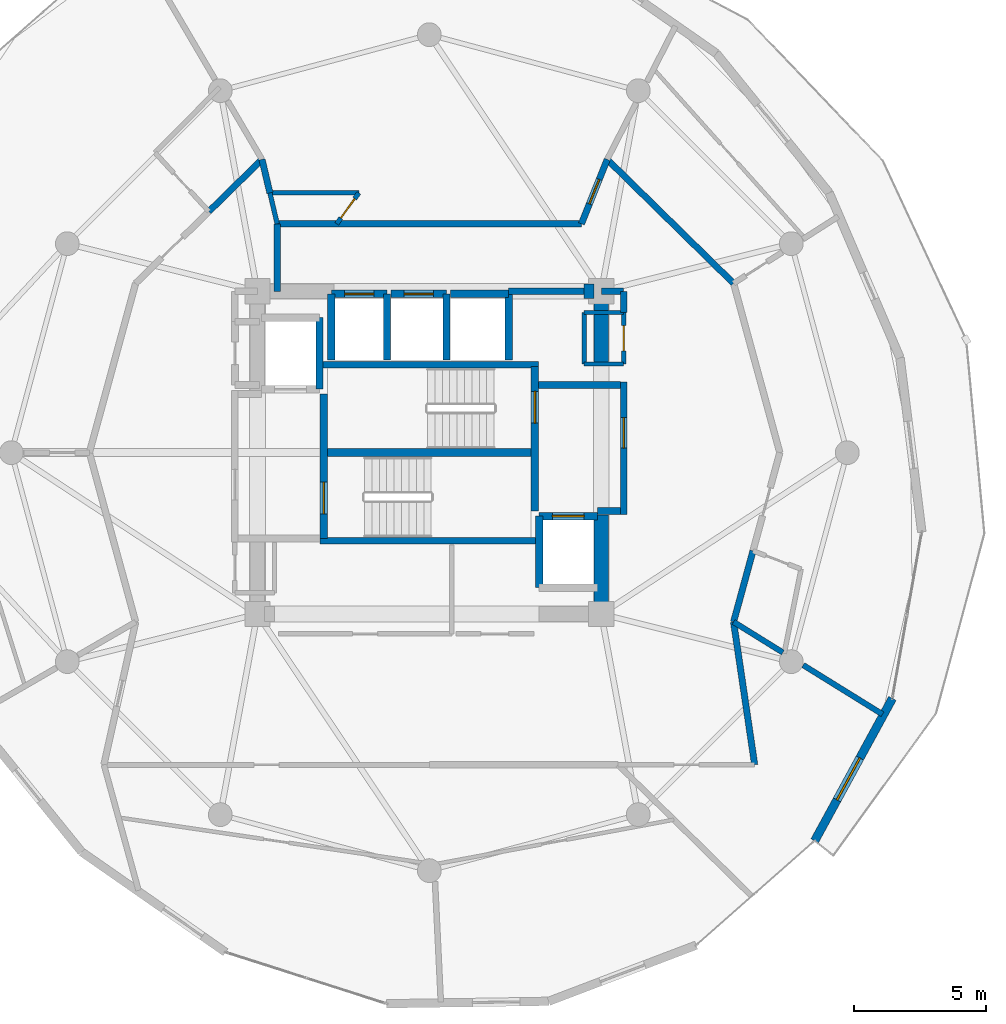
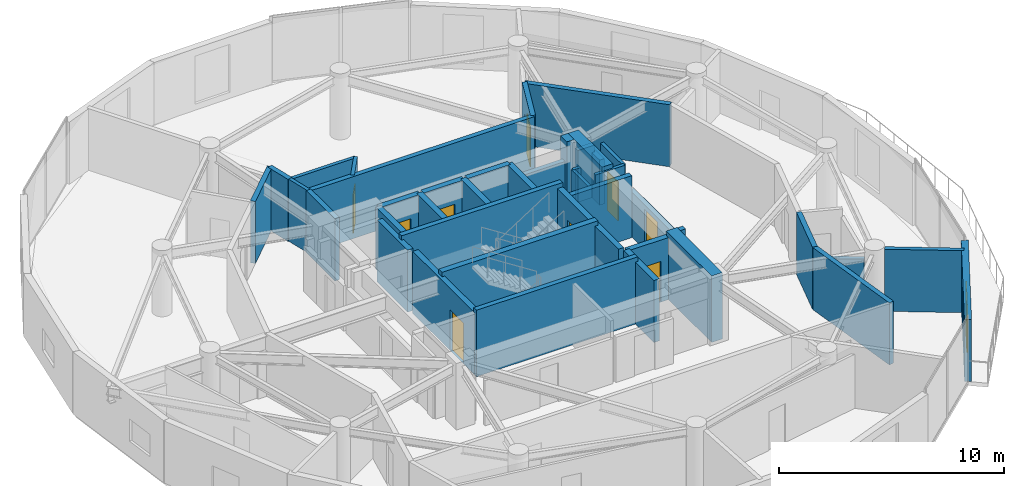
# One storey, part 14 of 18: 42 walls, 9 doors, 1 window, 10 openings.
"""IFC4 building model written with IfcOpenShell, lengths in metres."""

from ifc_helpers import new_model, si_unit, direction, frame, frame_2d, origin, place, context, subcontext, project, spatial, rectangle, extrude, material, layer, layer_set, type_object, element, fill, save


model = new_model("IFC4")

# Units and contexts
model_context = context("Model", 3, precision=1e-05, world=origin(), true_north=direction((0.0, 1.0)))
body_context = subcontext(model_context, "Body", "Model", "MODEL_VIEW")
ifc_project = project(units=[si_unit("LENGTHUNIT", "METRE"), si_unit("AREAUNIT", "SQUARE_METRE"), si_unit("VOLUMEUNIT", "CUBIC_METRE"), si_unit("PLANEANGLEUNIT", "RADIAN"), si_unit("MASSUNIT", "GRAM", prefix="KILO")], contexts=[model_context])

# Site, building, storey
site_placement = place(None, origin())
site = spatial("IfcSite", under=ifc_project, at=site_placement, CompositionType="ELEMENT")
building_placement = place(site_placement, origin())
building = spatial("IfcBuilding", under=site, at=building_placement, Name="Solvirekh Grand Hotel", CompositionType="ELEMENT")
storey_placement = place(building_placement, frame((0.0, 0.0, 187.60009765625)))
storey = spatial("IfcBuildingStorey", under=building, at=storey_placement, Name="L48", CompositionType="ELEMENT", Elevation=187.60009765625)

# Walls
ifc_material_1 = material(Name="Concrete C50/60", Category="concrete")
ifc_layer_1 = layer(ifc_material_1, 0.35009765625)
ifc_layer_set_1 = layer_set([ifc_layer_1], Name="Concrete C50/60")
wall_type_1 = type_object("IfcWallType", Name="CoreDivWall_RC350", PredefinedType="SOLIDWALL", material=ifc_layer_set_1)
for number, where, z_axis, x_axis, name in (
    (1, (-4.1298828125, -3.324951171875, 0.0), (0.0, 0.0, 1.0), (1.0, 0.0, 0.0), "L48 core stair box wall ST-S"),
    (2, (-4.1298828125, 3.324951171875, 0.0), (0.0, 0.0, 1.0), (1.0, 0.0, 0.0), "L48 core stair box wall ST-N"),
):
    element("IfcWall", number, at=place(storey_placement, frame(where, z_axis=z_axis, x_axis=x_axis)), inside=storey, type_object=wall_type_1, Name=name, PredefinedType="SOLIDWALL", context=body_context, shape_type="SweptSolid", body=[
        extrude(rectangle(XDim=8.259765625, YDim=0.25, at=frame_2d((4.1298828125, 0.0))), origin(), (0.0, 0.0, 1.0), 3.599853515625),
    ])

# Wall, opening, door
ifc_material_2 = material(Name="Concrete C40/50", Category="concrete")
ifc_layer_2 = layer(ifc_material_2, 0.280029296875)
ifc_layer_set_2 = layer_set([ifc_layer_2], Name="Concrete C40/50")
wall_type_2 = type_object("IfcWallType", Name="CoreShaftWall_RC280", PredefinedType="SOLIDWALL", material=ifc_layer_set_2)
wall_1_placement = place(storey_placement, frame((-1.60009765625, 6.0, 0.0), z_axis=(0.0, 0.0, 1.0), x_axis=(-1.0, 0.0, 0.0)))
wall_1 = element("IfcWall", 3, at=wall_1_placement, inside=storey, type_object=wall_type_2, Name="L48 HP-1 hoistway N wall", PredefinedType="SOLIDWALL", context=body_context, shape_type="SweptSolid", body=[
    extrude(rectangle(XDim=2.099853515625, YDim=0.280029296875, at=frame_2d((1.0498046875, 0.0))), origin(), (0.0, 0.0, 1.0), 3.35986328125),
])
opening_1_placement = place(wall_1_placement, frame((0.5, 0.0, 0.0)))
opening_1 = element("IfcOpeningElement", 4, at=opening_1_placement, cuts=wall_1, Name="Opening LD01", PredefinedType="OPENING", context=body_context, shape_type="SweptSolid", body=[
    extrude(rectangle(XDim=1.10009765625, YDim=2.199951171875, at=frame_2d((0.550048828125, 1.10009765625))), frame((0.0, 0.14990234375, 0.0), z_axis=(0.0, -1.0, 0.0), x_axis=(1.0, 0.0, 0.0)), (0.0, 0.0, 1.0), 0.300048828125),
])
ifc_material_3 = material(Name="Fire-Rated Steel Door Assembly", Category="steel")
door_type_1 = type_object("IfcDoorType", Name="Door_LiftLanding_1100X2200", OperationType="SLIDING_TO_LEFT", PredefinedType="DOOR", material=ifc_material_3)
door_1_placement = place(opening_1_placement, origin())
door_1 = element("IfcDoor", 5, at=door_1_placement, inside=storey, type_object=door_type_1, Name="L48 HP-1 sliding lift landing door", OperationType="SLIDING_TO_LEFT", OverallHeight=2.199951171875, OverallWidth=1.10009765625, PredefinedType="DOOR", context=body_context, shape_type="SweptSolid", body=[
    extrude(rectangle(XDim=1.10009765625, YDim=2.199951171875, at=frame_2d((0.550048828125, 1.10009765625))), frame((0.0, 0.02490234375, 0.0), z_axis=(0.0, -1.0, 0.0), x_axis=(1.0, 0.0, 0.0)), (0.0, 0.0, 1.0), 0.050048828125),
])
fill(opening_1, door_1)

# Walls
for number, where, z_axis, x_axis, name in (
    (6, (-3.699951171875, 6.0, 0.0), (0.0, 0.0, 1.0), (0.0, -1.0, 0.0), "L48 HP-1 hoistway W wall"),
    (7, (-1.60009765625, 3.5, 0.0), (0.0, 0.0, 1.0), (0.0, 1.0, 0.0), "L48 HP-1 hoistway E wall"),
):
    element("IfcWall", number, at=place(storey_placement, frame(where, z_axis=z_axis, x_axis=x_axis)), inside=storey, type_object=wall_type_2, Name=name, PredefinedType="SOLIDWALL", context=body_context, shape_type="SweptSolid", body=[
        extrude(rectangle(XDim=2.5, YDim=0.280029296875, at=frame_2d((1.25, 0.0))), origin(), (0.0, 0.0, 1.0), 3.35986328125),
    ])

# Wall, opening, door
wall_2_placement = place(storey_placement, frame((0.64990234375, 6.0, 0.0), z_axis=(0.0, 0.0, 1.0), x_axis=(-1.0, 0.0, 0.0)))
wall_2 = element("IfcWall", 8, at=wall_2_placement, inside=storey, type_object=wall_type_2, Name="L48 HP-2 hoistway N wall", PredefinedType="SOLIDWALL", context=body_context, shape_type="SweptSolid", body=[
    extrude(rectangle(XDim=2.099853515625, YDim=0.280029296875, at=frame_2d((1.0498046875, 0.0))), origin(), (0.0, 0.0, 1.0), 3.35986328125),
])
opening_2_placement = place(wall_2_placement, frame((0.5, 0.0, 0.0)))
opening_2 = element("IfcOpeningElement", 9, at=opening_2_placement, cuts=wall_2, Name="Opening LD01", PredefinedType="OPENING", context=body_context, shape_type="SweptSolid", body=[
    extrude(rectangle(XDim=1.10009765625, YDim=2.199951171875, at=frame_2d((0.550048828125, 1.10009765625))), frame((0.0, 0.14990234375, 0.0), z_axis=(0.0, -1.0, 0.0), x_axis=(1.0, 0.0, 0.0)), (0.0, 0.0, 1.0), 0.300048828125),
])
door_2_placement = place(opening_2_placement, origin())
door_2 = element("IfcDoor", 10, at=door_2_placement, inside=storey, type_object=door_type_1, Name="L48 HP-2 sliding lift landing door", OperationType="SLIDING_TO_LEFT", OverallHeight=2.199951171875, OverallWidth=1.10009765625, PredefinedType="DOOR", context=body_context, shape_type="SweptSolid", body=[
    extrude(rectangle(XDim=1.10009765625, YDim=2.199951171875, at=frame_2d((0.550048828125, 1.10009765625))), frame((0.0, 0.02490234375, 0.0), z_axis=(0.0, -1.0, 0.0), x_axis=(1.0, 0.0, 0.0)), (0.0, 0.0, 1.0), 0.050048828125),
])
fill(opening_2, door_2)

# Walls
wall_3_placement = place(storey_placement, frame((0.64990234375, 3.5, 0.0), z_axis=(0.0, 0.0, 1.0), x_axis=(0.0, 1.0, 0.0)))
element("IfcWall", 11, at=wall_3_placement, inside=storey, type_object=wall_type_2, Name="L48 HP-2 hoistway E wall", PredefinedType="SOLIDWALL", context=body_context, shape_type="SweptSolid", body=[
    extrude(rectangle(XDim=2.5, YDim=0.280029296875, at=frame_2d((1.25, 0.0))), origin(), (0.0, 0.0, 1.0), 3.35986328125),
])
wall_4_placement = place(storey_placement, frame((3.0, 6.0, 0.0), z_axis=(0.0, 0.0, 1.0), x_axis=(-1.0, 0.0, 0.0)))
element("IfcWall", 12, at=wall_4_placement, inside=storey, type_object=wall_type_2, Name="L48 EX-1 hoistway N wall", PredefinedType="SOLIDWALL", context=body_context, shape_type="SweptSolid", body=[
    extrude(rectangle(XDim=2.199951171875, YDim=0.280029296875, at=frame_2d((1.10009765625, 0.0))), origin(), (0.0, 0.0, 1.0), 3.35986328125),
])
wall_5_placement = place(storey_placement, frame((3.0, 3.5, 0.0), z_axis=(0.0, 0.0, 1.0), x_axis=(0.0, 1.0, 0.0)))
element("IfcWall", 13, at=wall_5_placement, inside=storey, type_object=wall_type_2, Name="L48 EX-1 hoistway E wall", PredefinedType="SOLIDWALL", context=body_context, shape_type="SweptSolid", body=[
    extrude(rectangle(XDim=2.5, YDim=0.280029296875, at=frame_2d((1.25, 0.0))), origin(), (0.0, 0.0, 1.0), 3.35986328125),
])
wall_6_placement = place(storey_placement, frame((-4.14990234375, 2.39990234375, 0.0), z_axis=(0.0, 0.0, 1.0), x_axis=(0.0, 1.0, 0.0)))
element("IfcWall", 14, at=wall_6_placement, inside=storey, type_object=wall_type_2, Name="L48 FL-1 hoistway E wall", PredefinedType="SOLIDWALL", context=body_context, shape_type="SweptSolid", body=[
    extrude(rectangle(XDim=2.7001953125, YDim=0.280029296875, at=frame_2d((1.35009765625, 0.0))), origin(), (0.0, 0.0, 1.0), 3.35986328125),
])

# Wall, opening, door
wall_7_placement = place(storey_placement, frame((6.35009765625, -2.39990234375, 0.0), z_axis=(0.0, 0.0, 1.0), x_axis=(-1.0, 0.0, 0.0)))
wall_7 = element("IfcWall", 15, at=wall_7_placement, inside=storey, type_object=wall_type_2, Name="L48 FL-2 hoistway N wall", PredefinedType="SOLIDWALL", context=body_context, shape_type="SweptSolid", body=[
    extrude(rectangle(XDim=2.2001953125, YDim=0.280029296875, at=frame_2d((1.10009765625, 0.0))), origin(), (0.0, 0.0, 1.0), 3.35986328125),
])
opening_3_placement = place(wall_7_placement, frame((0.5, 0.0, 0.0)))
opening_3 = element("IfcOpeningElement", 16, at=opening_3_placement, cuts=wall_7, Name="Opening LD02", PredefinedType="OPENING", context=body_context, shape_type="SweptSolid", body=[
    extrude(rectangle(XDim=1.199951171875, YDim=2.199951171875, at=frame_2d((0.60009765625, 1.10009765625))), frame((0.0, 0.14990234375, 0.0), z_axis=(0.0, -1.0, 0.0), x_axis=(1.0, 0.0, 0.0)), (0.0, 0.0, 1.0), 0.300048828125),
])
door_type_2 = type_object("IfcDoorType", Name="Door_LiftFF_1200X2200", OperationType="SLIDING_TO_LEFT", PredefinedType="DOOR", material=ifc_material_3)
door_3_placement = place(opening_3_placement, origin())
door_3 = element("IfcDoor", 17, at=door_3_placement, inside=storey, type_object=door_type_2, Name="L48 FL-2 sliding lift landing door", OperationType="SLIDING_TO_LEFT", OverallHeight=2.199951171875, OverallWidth=1.199951171875, PredefinedType="DOOR", context=body_context, shape_type="SweptSolid", body=[
    extrude(rectangle(XDim=1.199951171875, YDim=2.199951171875, at=frame_2d((0.60009765625, 1.10009765625))), frame((0.0, 0.02490234375, 0.0), z_axis=(0.0, -1.0, 0.0), x_axis=(1.0, 0.0, 0.0)), (0.0, 0.0, 1.0), 0.050048828125),
])
fill(opening_3, door_3)

# Wall
wall_8_placement = place(storey_placement, frame((4.14990234375, -2.39990234375, 0.0), z_axis=(0.0, 0.0, 1.0), x_axis=(0.0, -1.0, 0.0)))
element("IfcWall", 18, at=wall_8_placement, inside=storey, type_object=wall_type_2, Name="L48 FL-2 hoistway W wall", PredefinedType="SOLIDWALL", context=body_context, shape_type="SweptSolid", body=[
    extrude(rectangle(XDim=2.7001953125, YDim=0.280029296875, at=frame_2d((1.35009765625, 0.0))), origin(), (0.0, 0.0, 1.0), 3.35986328125),
])

# Wall, opening, door
wall_9_placement = place(storey_placement, frame((-3.989990234375, -3.25, 0.0), z_axis=(0.0, 0.0, 1.0), x_axis=(0.0, 1.0, 0.0)))
wall_9 = element("IfcWall", 19, at=wall_9_placement, inside=storey, type_object=wall_type_2, Name="L48 west stair landing enclosure wall", PredefinedType="SOLIDWALL", context=body_context, shape_type="SweptSolid", body=[
    extrude(rectangle(XDim=5.4599609375, YDim=0.280029296875, at=frame_2d((2.72998046875, 0.0))), origin(), (0.0, 0.0, 1.0), 3.35986328125),
])
opening_4_placement = place(wall_9_placement, frame((0.93701171875, 0.0, 0.0)))
opening_4 = element("IfcOpeningElement", 20, at=opening_4_placement, cuts=wall_9, Name="Opening D05", PredefinedType="OPENING", context=body_context, shape_type="SweptSolid", body=[
    extrude(rectangle(XDim=1.199951171875, YDim=2.199951171875, at=frame_2d((0.60009765625, 1.10009765625))), frame((0.0, 0.14990234375, 0.0), z_axis=(0.0, -1.0, 0.0), x_axis=(1.0, 0.0, 0.0)), (0.0, 0.0, 1.0), 0.300048828125),
])
door_type_3 = type_object("IfcDoorType", Name="Door_StairCore_1200X2200", OperationType="NOTDEFINED", PredefinedType="DOOR", material=ifc_material_3)
door_4_placement = place(opening_4_placement, origin())
door_4 = element("IfcDoor", 21, at=door_4_placement, inside=storey, type_object=door_type_3, Name="L48 exit stair ST-1 fire door", OperationType="SINGLE_SWING_RIGHT", OverallHeight=2.199951171875, OverallWidth=1.199951171875, PredefinedType="DOOR", context=body_context, shape_type="SweptSolid", body=[
    extrude(rectangle(XDim=1.199951171875, YDim=2.199951171875, at=frame_2d((0.60009765625, 1.10009765625))), frame((0.0, 0.02490234375, 0.0), z_axis=(0.0, -1.0, 0.0), x_axis=(1.0, 0.0, 0.0)), (0.0, 0.0, 1.0), 0.050048828125),
])
fill(opening_4, door_4)

wall_10_placement = place(storey_placement, frame((3.989990234375, -2.2099609375, 0.0), z_axis=(0.0, 0.0, 1.0), x_axis=(0.0, 1.0, 0.0)))
wall_10 = element("IfcWall", 22, at=wall_10_placement, inside=storey, type_object=wall_type_2, Name="L48 east stair landing enclosure wall", PredefinedType="SOLIDWALL", context=body_context, shape_type="SweptSolid", body=[
    extrude(rectangle(XDim=5.4599609375, YDim=0.280029296875, at=frame_2d((2.72998046875, 0.0))), origin(), (0.0, 0.0, 1.0), 3.35986328125),
])
opening_5_placement = place(wall_10_placement, frame((3.322998046875, 0.0, 0.0)))
opening_5 = element("IfcOpeningElement", 23, at=opening_5_placement, cuts=wall_10, Name="Opening D05", PredefinedType="OPENING", context=body_context, shape_type="SweptSolid", body=[
    extrude(rectangle(XDim=1.199951171875, YDim=2.199951171875, at=frame_2d((0.60009765625, 1.10009765625))), frame((0.0, 0.14990234375, 0.0), z_axis=(0.0, -1.0, 0.0), x_axis=(1.0, 0.0, 0.0)), (0.0, 0.0, 1.0), 0.300048828125),
])
door_5_placement = place(opening_5_placement, origin())
door_5 = element("IfcDoor", 24, at=door_5_placement, inside=storey, type_object=door_type_3, Name="L48 exit stair ST-2 fire door", OperationType="SINGLE_SWING_LEFT", OverallHeight=2.199951171875, OverallWidth=1.199951171875, PredefinedType="DOOR", context=body_context, shape_type="SweptSolid", body=[
    extrude(rectangle(XDim=1.199951171875, YDim=2.199951171875, at=frame_2d((0.60009765625, 1.10009765625))), frame((0.0, 0.02490234375, 0.0), z_axis=(0.0, -1.0, 0.0), x_axis=(1.0, 0.0, 0.0)), (0.0, 0.0, 1.0), 0.050048828125),
])
fill(opening_5, door_5)

# Walls
ifc_layer_3 = layer(ifc_material_1, 0.550048828125)
ifc_layer_set_3 = layer_set([ifc_layer_3], Name="Concrete C50/60")
wall_type_3 = type_object("IfcWallType", Name="CoreWall_RC550", PredefinedType="SHEAR", material=ifc_layer_set_3)
wall_11_placement = place(storey_placement, frame((-3.989990234375, 0.0, 0.0), z_axis=(0.0, 0.0, 1.0), x_axis=(1.0, 0.0, 0.0)))
element("IfcWall", 25, at=wall_11_placement, inside=storey, type_object=wall_type_3, Name="L48 central stair-spine shear wall", PredefinedType="SHEAR", context=body_context, shape_type="SweptSolid", body=[
    extrude(rectangle(XDim=7.97998046875, YDim=0.300048828125, at=frame_2d((3.989990234375, 0.0))), origin(), (0.0, 0.0, 1.0), 3.599853515625),
])
wall_12_placement = place(storey_placement, frame((5.85009765625, 6.10009765625, 0.0), z_axis=(0.0, 0.0, 1.0), x_axis=(1.0, 0.0, 0.0)))
element("IfcWall", 26, at=wall_12_placement, inside=storey, type_object=wall_type_3, Name="L48 core corner shear wall NE-N", PredefinedType="SHEAR", context=body_context, shape_type="SweptSolid", body=[
    extrude(rectangle(XDim=0.375, YDim=0.550048828125, at=frame_2d((0.1875, 0.0))), origin(), (0.0, 0.0, 1.0), 3.599853515625),
])
wall_13_placement = place(storey_placement, frame((6.5, -6.375, 0.0), z_axis=(0.0, 0.0, 1.0), x_axis=(0.0, 1.0, 0.0)))
element("IfcWall", 27, at=wall_13_placement, inside=storey, type_object=wall_type_3, Name="L48 core corner shear wall ES-E", PredefinedType="SHEAR", context=body_context, shape_type="SweptSolid", body=[
    extrude(rectangle(XDim=4.02490234375, YDim=0.550048828125, at=frame_2d((2.012451171875, 0.0))), origin(), (0.0, 0.0, 1.0), 3.599853515625),
])
wall_14_placement = place(storey_placement, frame((6.5, 3.35009765625, 0.0), z_axis=(0.0, 0.0, 1.0), x_axis=(0.0, 1.0, 0.0)))
element("IfcWall", 28, at=wall_14_placement, inside=storey, type_object=wall_type_3, Name="L48 core corner shear wall EN-E", PredefinedType="SHEAR", context=body_context, shape_type="SweptSolid", body=[
    extrude(rectangle(XDim=3.02490234375, YDim=0.550048828125, at=frame_2d((1.512451171875, 0.0))), origin(), (0.0, 0.0, 1.0), 3.599853515625),
])

# Wall, opening, window
ifc_material_4 = material(Name="Precast concrete C45/55", Category="concrete")
ifc_layer_4 = layer(ifc_material_4, 0.320068359375)
ifc_layer_set_4 = layer_set([ifc_layer_4], Name="Precast concrete C45/55")
wall_type_4 = type_object("IfcWallType", Name="ExtLobbyWall_RC320", PredefinedType="SOLIDWALL", material=ifc_layer_set_4)
wall_15_placement = place(storey_placement, frame((17.5048828125, -9.2919921875, 0.0), z_axis=(0.0, 0.0, 1.0), x_axis=(-0.479142226632, -0.877737276557, 0.0)))
wall_15 = element("IfcWall", 29, at=wall_15_placement, inside=storey, type_object=wall_type_4, Name="L48 exterior structural wall chord 2", PredefinedType="SOLIDWALL", context=body_context, shape_type="SweptSolid", body=[
    extrude(rectangle(XDim=6.1318359375, YDim=0.320068359375, at=frame_2d((3.06591796875, 0.0))), origin(), (0.0, 0.0, 1.0), 3.35986328125),
])
opening_6_placement = place(wall_15_placement, frame((2.568115234375, 0.0, 0.35009765625)))
opening_6 = element("IfcOpeningElement", 30, at=opening_6_placement, cuts=wall_15, Name="Opening W02", PredefinedType="OPENING", context=body_context, shape_type="SweptSolid", body=[
    extrude(rectangle(XDim=1.800048828125, YDim=2.60009765625, at=frame_2d((0.89990234375, 1.300048828125))), frame((0.0, 0.169921875, 0.0), z_axis=(0.0, -1.0, 0.0), x_axis=(1.0, 0.0, 0.0)), (0.0, 0.0, 1.0), 0.340087890625),
])
ifc_material_5 = material(Name="Low-E Tinted Bronze Laminated Glass", Category="aluminium")
window_type = type_object("IfcWindowType", Name="Win_LobbyExt_1800X2600", PartitioningType="SINGLE_PANEL", PredefinedType="WINDOW", material=ifc_material_5)
window_placement = place(opening_6_placement, origin())
window = element("IfcWindow", 31, at=window_placement, inside=storey, type_object=window_type, Name="L48 panoramic bronze-framed window 2", OverallHeight=2.60009765625, OverallWidth=1.800048828125, PartitioningType="SINGLE_PANEL", PredefinedType="WINDOW", context=body_context, shape_type="SweptSolid", body=[
    extrude(rectangle(XDim=1.800048828125, YDim=2.60009765625, at=frame_2d((0.89990234375, 1.300048828125))), frame((0.0, 0.030029296875, 0.0), z_axis=(0.0, -1.0, 0.0), x_axis=(1.0, 0.0, 0.0)), (0.0, 0.0, 1.0), 0.06005859375),
])
fill(opening_6, window)

# Wall
ifc_material_6 = material(Name="Acoustic Gypsum Partition Assembly")
ifc_layer_5 = layer(ifc_material_6, 0.1650390625)
ifc_layer_set_5 = layer_set([ifc_layer_5], Name="Acoustic Gypsum Partition Assembly")
wall_type_5 = type_object("IfcWallType", Name="Part_BOH_165", PredefinedType="PARTITIONING", material=ifc_layer_set_5)
wall_16_placement = place(storey_placement, frame((5.85009765625, 3.35009765625, 0.0), z_axis=(0.0, 0.0, 1.0), x_axis=(1.0, 0.0, 0.0)))
element("IfcWall", 32, at=wall_16_placement, inside=storey, type_object=wall_type_5, Name="L48 L48 Core Housekeeping Room wall 1", PredefinedType="PARTITIONING", context=body_context, shape_type="SweptSolid", body=[
    extrude(rectangle(XDim=1.5, YDim=0.1650390625, at=frame_2d((0.75, 0.0))), origin(), (0.0, 0.0, 1.0), 3.35986328125),
])

# Wall, opening, door
wall_17_placement = place(storey_placement, frame((7.35009765625, 3.35009765625, 0.0), z_axis=(0.0, 0.0, 1.0), x_axis=(0.0, 1.0, 0.0)))
wall_17 = element("IfcWall", 33, at=wall_17_placement, inside=storey, type_object=wall_type_5, Name="L48 L48 Core Housekeeping Room wall 2", PredefinedType="PARTITIONING", context=body_context, shape_type="SweptSolid", body=[
    extrude(rectangle(XDim=1.949951171875, YDim=0.1650390625, at=frame_2d((0.97509765625, 0.0))), origin(), (0.0, 0.0, 1.0), 3.35986328125),
])
opening_7_placement = place(wall_17_placement, frame((0.5, 0.0, 0.0)))
opening_7 = element("IfcOpeningElement", 34, at=opening_7_placement, cuts=wall_17, Name="Opening D10", PredefinedType="OPENING", context=body_context, shape_type="SweptSolid", body=[
    extrude(rectangle(XDim=0.949951171875, YDim=2.10009765625, at=frame_2d((0.47509765625, 1.050048828125))), frame((0.0, 0.092529296875, 0.0), z_axis=(0.0, -1.0, 0.0), x_axis=(1.0, 0.0, 0.0)), (0.0, 0.0, 1.0), 0.18505859375),
])
ifc_material_7 = material(Name="Anodized Bronze Aluminium 6063-T6", Category="aluminium")
door_type_4 = type_object("IfcDoorType", Name="Door_RoomInt_950X2100", OperationType="NOTDEFINED", PredefinedType="DOOR", material=ifc_material_7)
door_6_placement = place(opening_7_placement, origin())
door_6 = element("IfcDoor", 35, at=door_6_placement, inside=storey, type_object=door_type_4, Name="L48 L48 Core Housekeeping Room door", OperationType="SINGLE_SWING_RIGHT", OverallHeight=2.10009765625, OverallWidth=0.949951171875, PredefinedType="DOOR", context=body_context, shape_type="SweptSolid", body=[
    extrude(rectangle(XDim=0.949951171875, YDim=2.10009765625, at=frame_2d((0.47509765625, 1.050048828125))), frame((0.0, 0.02490234375, 0.0), z_axis=(0.0, -1.0, 0.0), x_axis=(1.0, 0.0, 0.0)), (0.0, 0.0, 1.0), 0.050048828125),
])
fill(opening_7, door_6)

# Walls
wall_18_placement = place(storey_placement, frame((7.35009765625, 5.300048828125, 0.0), z_axis=(0.0, 0.0, 1.0), x_axis=(-1.0, 0.0, 0.0)))
element("IfcWall", 36, at=wall_18_placement, inside=storey, type_object=wall_type_5, Name="L48 L48 Core Housekeeping Room wall 3", PredefinedType="PARTITIONING", context=body_context, shape_type="SweptSolid", body=[
    extrude(rectangle(XDim=1.5, YDim=0.1650390625, at=frame_2d((0.75, 0.0))), origin(), (0.0, 0.0, 1.0), 2.44482421875),
])
wall_19_placement = place(storey_placement, frame((5.85009765625, 5.300048828125, 0.0), z_axis=(0.0, 0.0, 1.0), x_axis=(0.0, -1.0, 0.0)))
element("IfcWall", 37, at=wall_19_placement, inside=storey, type_object=wall_type_5, Name="L48 L48 Core Housekeeping Room wall 4", PredefinedType="PARTITIONING", context=body_context, shape_type="SweptSolid", body=[
    extrude(rectangle(XDim=1.949951171875, YDim=0.1650390625, at=frame_2d((0.97509765625, 0.0))), origin(), (0.0, 0.0, 1.0), 2.44482421875),
])

# Wall, opening, door
ifc_layer_6 = layer(ifc_material_6, 0.239990234375)
ifc_layer_set_6 = layer_set([ifc_layer_6], Name="Acoustic Gypsum Partition Assembly")
wall_type_6 = type_object("IfcWallType", Name="Part_Corridor_240", PredefinedType="PARTITIONING", material=ifc_layer_set_6)
wall_20_placement = place(storey_placement, frame((7.35009765625, -2.340087890625, 0.0), z_axis=(0.0, 0.0, 1.0), x_axis=(0.0, 1.0, 0.0)))
wall_20 = element("IfcWall", 38, at=wall_20_placement, inside=storey, type_object=wall_type_6, Name="L48 east firefighting lobby smoke screen wall", PredefinedType="PARTITIONING", context=body_context, shape_type="SweptSolid", body=[
    extrude(rectangle(XDim=5.02001953125, YDim=0.239990234375, at=frame_2d((2.510009765625, 0.0))), origin(), (0.0, 0.0, 1.0), 2.44482421875),
])
opening_8_placement = place(wall_20_placement, frame((2.514892578125, 0.0, 0.0)))
opening_8 = element("IfcOpeningElement", 39, at=opening_8_placement, cuts=wall_20, Name="Opening D06", PredefinedType="OPENING", context=body_context, shape_type="SweptSolid", body=[
    extrude(rectangle(XDim=1.14990234375, YDim=2.199951171875, at=frame_2d((0.574951171875, 1.10009765625))), frame((0.0, 0.1298828125, 0.0), z_axis=(0.0, -1.0, 0.0), x_axis=(1.0, 0.0, 0.0)), (0.0, 0.0, 1.0), 0.260009765625),
])
door_type_5 = type_object("IfcDoorType", Name="Door_FFLobby_1150X2200", OperationType="NOTDEFINED", PredefinedType="DOOR", material=ifc_material_3)
door_7_placement = place(opening_8_placement, origin())
door_7 = element("IfcDoor", 40, at=door_7_placement, inside=storey, type_object=door_type_5, Name="L48 east firefighting lobby smoke door", OperationType="SINGLE_SWING_LEFT", OverallHeight=2.199951171875, OverallWidth=1.14990234375, PredefinedType="DOOR", context=body_context, shape_type="SweptSolid", body=[
    extrude(rectangle(XDim=1.14990234375, YDim=2.199951171875, at=frame_2d((0.574951171875, 1.10009765625))), frame((0.0, 0.02490234375, 0.0), z_axis=(0.0, -1.0, 0.0), x_axis=(1.0, 0.0, 0.0)), (0.0, 0.0, 1.0), 0.050048828125),
])
fill(opening_8, door_7)

# Walls
wall_21_placement = place(storey_placement, frame((-5.75, 8.64990234375, 0.0), z_axis=(0.0, 0.0, 1.0), x_axis=(1.0, 0.0, 0.0)))
element("IfcWall", 41, at=wall_21_placement, inside=storey, type_object=wall_type_6, Name="L48 north lift lobby enclosure wall", PredefinedType="PARTITIONING", context=body_context, shape_type="SweptSolid", body=[
    extrude(rectangle(XDim=11.5, YDim=0.239990234375, at=frame_2d((5.75, 0.0))), origin(), (0.0, 0.0, 1.0), 3.35986328125),
])
wall_22_placement = place(storey_placement, frame((3.0, 6.10009765625, 0.0), z_axis=(0.0, 0.0, 1.0), x_axis=(1.0, 0.0, 0.0)))
element("IfcWall", 42, at=wall_22_placement, inside=storey, type_object=wall_type_6, Name="L48 north core shaft infill wall", PredefinedType="PARTITIONING", context=body_context, shape_type="SweptSolid", body=[
    extrude(rectangle(XDim=2.85009765625, YDim=0.239990234375, at=frame_2d((1.425048828125, 0.0))), origin(), (0.0, 0.0, 1.0), 2.44482421875),
])
wall_23_placement = place(storey_placement, frame((7.35009765625, 5.300048828125, 0.0), z_axis=(0.0, 0.0, 1.0), x_axis=(0.0, 1.0, 0.0)))
element("IfcWall", 43, at=wall_23_placement, inside=storey, type_object=wall_type_6, Name="L48 NE core cheek closure wall", PredefinedType="PARTITIONING", context=body_context, shape_type="SweptSolid", body=[
    extrude(rectangle(XDim=0.800048828125, YDim=0.239990234375, at=frame_2d((0.39990234375, 0.0))), origin(), (0.0, 0.0, 1.0), 2.44482421875),
])
wall_24_placement = place(storey_placement, frame((6.5, 6.10009765625, 0.0), z_axis=(0.0, 0.0, 1.0), x_axis=(1.0, 0.0, 0.0)))
element("IfcWall", 44, at=wall_24_placement, inside=storey, type_object=wall_type_6, Name="L48 NE core corner tie wall", PredefinedType="PARTITIONING", context=body_context, shape_type="SweptSolid", body=[
    extrude(rectangle(XDim=0.85009765625, YDim=0.239990234375, at=frame_2d((0.425048828125, 0.0))), origin(), (0.0, 0.0, 1.0), 2.80078125),
])
wall_25_placement = place(storey_placement, frame((-5.75, 6.10009765625, 0.0), z_axis=(0.0, 0.0, 1.0), x_axis=(0.0, 1.0, 0.0)))
element("IfcWall", 45, at=wall_25_placement, inside=storey, type_object=wall_type_6, Name="L48 north lift lobby west wall", PredefinedType="PARTITIONING", context=body_context, shape_type="SweptSolid", body=[
    extrude(rectangle(XDim=2.5498046875, YDim=0.239990234375, at=frame_2d((1.27490234375, 0.0))), origin(), (0.0, 0.0, 1.0), 3.35986328125),
])
wall_26_placement = place(storey_placement, frame((-6.02587890625, 9.819091796875, 0.0), z_axis=(0.0, 0.0, 1.0), x_axis=(-0.229928489857, 0.973207526457, 0.0)))
element("IfcWall", 46, at=wall_26_placement, inside=storey, type_object=wall_type_6, Name="L48 Panorama Suite 5001 corridor wall 1", PredefinedType="PARTITIONING", context=body_context, shape_type="SweptSolid", body=[
    extrude(rectangle(XDim=1.30078125, YDim=0.239990234375, at=frame_2d((0.650390625, 0.0))), origin(), (0.0, 0.0, 1.0), 3.35986328125),
])

# Wall, opening, door
wall_27_placement = place(storey_placement, frame((5.75, 8.64990234375, 0.0), z_axis=(0.0, 0.0, 1.0), x_axis=(0.371743694646, 0.928335405708, 0.0)))
wall_27 = element("IfcWall", 47, at=wall_27_placement, inside=storey, type_object=wall_type_6, Name="L48 Panorama Suite 5001 entrance wall", PredefinedType="PARTITIONING", context=body_context, shape_type="SweptSolid", body=[
    extrude(rectangle(XDim=2.623046875, YDim=0.239990234375, at=frame_2d((1.3115234375, 0.0))), origin(), (0.0, 0.0, 1.0), 3.35986328125),
])
opening_9_placement = place(wall_27_placement, frame((0.81103515625, 0.0, 0.0)))
opening_9 = element("IfcOpeningElement", 48, at=opening_9_placement, cuts=wall_27, Name="Opening D07", PredefinedType="OPENING", context=body_context, shape_type="SweptSolid", body=[
    extrude(rectangle(XDim=1.0, YDim=2.199951171875, at=frame_2d((0.5, 1.10009765625))), frame((0.0, 0.1298828125, 0.0), z_axis=(0.0, -1.0, 0.0), x_axis=(1.0, 0.0, 0.0)), (0.0, 0.0, 1.0), 0.260009765625),
])
door_type_6 = type_object("IfcDoorType", Name="Door_GuestEntry_1000X2200", OperationType="NOTDEFINED", PredefinedType="DOOR", material=ifc_material_3)
door_8_placement = place(opening_9_placement, origin())
door_8 = element("IfcDoor", 49, at=door_8_placement, inside=storey, type_object=door_type_6, Name="L48 Panorama Suite 5001 entrance door", OperationType="SINGLE_SWING_RIGHT", OverallHeight=2.199951171875, OverallWidth=1.0, PredefinedType="DOOR", context=body_context, shape_type="SweptSolid", body=[
    extrude(rectangle(XDim=1.0, YDim=2.199951171875, at=frame_2d((0.5, 1.10009765625))), frame((0.0, 0.02490234375, 0.0), z_axis=(0.0, -1.0, 0.0), x_axis=(1.0, 0.0, 0.0)), (0.0, 0.0, 1.0), 0.050048828125),
])
fill(opening_9, door_8)

# Walls
wall_28_placement = place(storey_placement, frame((-6.324951171875, 11.0849609375, 0.0), z_axis=(0.0, 0.0, 1.0), x_axis=(-0.713850549357, -0.700298074524, 0.0)))
element("IfcWall", 50, at=wall_28_placement, inside=storey, type_object=wall_type_6, Name="L48 En-suite Bathroom 5002 corridor backing wall", PredefinedType="PARTITIONING", context=body_context, shape_type="SweptSolid", body=[
    extrude(rectangle(XDim=2.810302734375, YDim=0.239990234375, at=frame_2d((1.4052734375, 0.0))), origin(), (0.0, 0.0, 1.0), 3.35986328125),
])
wall_29_placement = place(storey_placement, frame((11.501953125, -6.39990234375, 0.0), z_axis=(0.0, 0.0, 1.0), x_axis=(0.263465836707, 0.964668727019, 0.0)))
element("IfcWall", 51, at=wall_29_placement, inside=storey, type_object=wall_type_6, Name="L48 En-suite Bathroom 5003 corridor backing wall", PredefinedType="PARTITIONING", context=body_context, shape_type="SweptSolid", body=[
    extrude(rectangle(XDim=2.786376953125, YDim=0.239990234375, at=frame_2d((1.39306640625, 0.0))), origin(), (0.0, 0.0, 1.0), 3.35986328125),
])
wall_30_placement = place(storey_placement, frame((11.501953125, 6.39990234375, 0.0), z_axis=(0.0, 0.0, 1.0), x_axis=(-0.713933337596, 0.700213674152, 0.0)))
element("IfcWall", 52, at=wall_30_placement, inside=storey, type_object=wall_type_6, Name="L48 Diplomatic Suite 5003 Suite Foyer corridor enclosure wall", PredefinedType="PARTITIONING", context=body_context, shape_type="SweptSolid", body=[
    extrude(rectangle(XDim=6.69091796875, YDim=0.239990234375, at=frame_2d((3.345458984375, 0.0))), origin(), (0.0, 0.0, 1.0), 3.35986328125),
])
wall_31_placement = place(storey_placement, frame((12.300048828125, -11.800048828125, 0.0), z_axis=(0.0, 0.0, 1.0), x_axis=(-0.146203405363, 0.98925454978, 0.0)))
element("IfcWall", 53, at=wall_31_placement, inside=storey, type_object=wall_type_6, Name="L48 L48 Butler Valet & Linen Steward Room corridor wall 1", PredefinedType="PARTITIONING", context=body_context, shape_type="SweptSolid", body=[
    extrude(rectangle(XDim=5.458740234375, YDim=0.239990234375, at=frame_2d((2.7294921875, 0.0))), origin(), (0.0, 0.0, 1.0), 3.35986328125),
])
ifc_layer_7 = layer(ifc_material_6, 0.260009765625)
ifc_layer_set_7 = layer_set([ifc_layer_7], Name="Acoustic Gypsum Partition Assembly")
wall_type_7 = type_object("IfcWallType", Name="Part_LobbyFF_260", PredefinedType="PARTITIONING", material=ifc_layer_set_7)
wall_32_placement = place(storey_placement, frame((6.35009765625, -2.2099609375, 0.0), z_axis=(0.0, 0.0, 1.0), x_axis=(1.0, 0.0, 0.0)))
element("IfcWall", 54, at=wall_32_placement, inside=storey, type_object=wall_type_7, Name="L48 east firefighting lobby SE cheek", PredefinedType="PARTITIONING", context=body_context, shape_type="SweptSolid", body=[
    extrude(rectangle(XDim=0.875, YDim=0.260009765625, at=frame_2d((0.4375, 0.0))), origin(), (0.0, 0.0, 1.0), 3.35986328125),
])
wall_33_placement = place(storey_placement, frame((4.1298828125, 2.550048828125, 0.0), z_axis=(0.0, 0.0, 1.0), x_axis=(1.0, 0.0, 0.0)))
element("IfcWall", 55, at=wall_33_placement, inside=storey, type_object=wall_type_7, Name="L48 east firefighting lobby north partition", PredefinedType="PARTITIONING", context=body_context, shape_type="SweptSolid", body=[
    extrude(rectangle(XDim=3.09521484375, YDim=0.260009765625, at=frame_2d((1.547607421875, 0.0))), origin(), (0.0, 0.0, 1.0), 3.35986328125),
])
ifc_layer_8 = layer(ifc_material_6, 0.2099609375)
ifc_layer_set_8 = layer_set([ifc_layer_8], Name="Acoustic Gypsum Partition Assembly")
wall_type_8 = type_object("IfcWallType", Name="Part_SuiteDemise_210", PredefinedType="PARTITIONING", material=ifc_layer_set_8)
wall_34_placement = place(storey_placement, frame((11.501953125, -6.39990234375, 0.0), z_axis=(0.0, 0.0, 1.0), x_axis=(0.849789901528, -0.527121545054, 0.0)))
element("IfcWall", 56, at=wall_34_placement, inside=storey, type_object=wall_type_8, Name="L48 suite radial wall 12 (A)", PredefinedType="PARTITIONING", context=body_context, shape_type="SweptSolid", body=[
    extrude(rectangle(XDim=2.191162109375, YDim=0.2099609375, at=frame_2d((1.095703125, 0.0))), origin(), (0.0, 0.0, 1.0), 2.80078125),
])
wall_35_placement = place(storey_placement, frame((14.134033203125, -8.031982421875, 0.0), z_axis=(0.0, 0.0, 1.0), x_axis=(0.849859297118, -0.527009653709, 0.0)))
element("IfcWall", 57, at=wall_35_placement, inside=storey, type_object=wall_type_8, Name="L48 suite radial wall 12 (B)", PredefinedType="PARTITIONING", context=body_context, shape_type="SweptSolid", body=[
    extrude(rectangle(XDim=3.527587890625, YDim=0.2099609375, at=frame_2d((1.763671875, 0.0))), origin(), (0.0, 0.0, 1.0), 3.35986328125),
])
ifc_layer_9 = layer(ifc_material_6, 0.175048828125)
ifc_layer_set_9 = layer_set([ifc_layer_9], Name="Acoustic Gypsum Partition Assembly")
wall_type_9 = type_object("IfcWallType", Name="Plumb_Ensuite_175", PredefinedType="PLUMBINGWALL", material=ifc_layer_set_9)
wall_36_placement = place(storey_placement, frame((-6.02587890625, 9.819091796875, 0.0), z_axis=(0.0, 0.0, 1.0), x_axis=(1.0, 0.0, 0.0)))
element("IfcWall", 58, at=wall_36_placement, inside=storey, type_object=wall_type_9, Name="L48 En-suite Bathroom 5001 outer plumbing wall", PredefinedType="PLUMBINGWALL", context=body_context, shape_type="SweptSolid", body=[
    extrude(rectangle(XDim=3.36181640625, YDim=0.175048828125, at=frame_2d((1.680908203125, 0.0))), origin(), (0.0, 0.0, 1.0), 3.35986328125),
])
wall_37_placement = place(storey_placement, frame((-6.02587890625, 9.819091796875, 0.0), z_axis=(0.0, 0.0, 1.0), x_axis=(0.229650980365, -0.973273048644, 0.0)))
element("IfcWall", 59, at=wall_37_placement, inside=storey, type_object=wall_type_9, Name="L48 En-suite Bathroom 5001 side plumbing wall", PredefinedType="PLUMBINGWALL", context=body_context, shape_type="SweptSolid", body=[
    extrude(rectangle(XDim=1.201416015625, YDim=0.175048828125, at=frame_2d((0.6005859375, 0.0))), origin(), (0.0, 0.0, 1.0), 3.35986328125),
])

# Wall, opening, door
wall_38_placement = place(storey_placement, frame((-3.5, 8.64990234375, 0.0), z_axis=(0.0, 0.0, 1.0), x_axis=(0.581607698531, 0.813469412461, 0.0)))
wall_38 = element("IfcWall", 60, at=wall_38_placement, inside=storey, type_object=wall_type_9, Name="L48 En-suite Bathroom 5001 entry plumbing wall", PredefinedType="PLUMBINGWALL", context=body_context, shape_type="SweptSolid", body=[
    extrude(rectangle(XDim=1.437255859375, YDim=0.175048828125, at=frame_2d((0.71875, 0.0))), origin(), (0.0, 0.0, 1.0), 3.35986328125),
])
opening_10_placement = place(wall_38_placement, frame((0.26904296875, 0.0, 0.0)))
opening_10 = element("IfcOpeningElement", 61, at=opening_10_placement, cuts=wall_38, Name="Opening D09", PredefinedType="OPENING", context=body_context, shape_type="SweptSolid", body=[
    extrude(rectangle(XDim=0.89990234375, YDim=2.10009765625, at=frame_2d((0.449951171875, 1.050048828125))), frame((0.0, 0.09765625, 0.0), z_axis=(0.0, -1.0, 0.0), x_axis=(1.0, 0.0, 0.0)), (0.0, 0.0, 1.0), 0.195068359375),
])
door_type_7 = type_object("IfcDoorType", Name="Door_Ensuite_900X2100", OperationType="NOTDEFINED", PredefinedType="DOOR", material=ifc_material_7)
door_9_placement = place(opening_10_placement, origin())
door_9 = element("IfcDoor", 62, at=door_9_placement, inside=storey, type_object=door_type_7, Name="L48 En-suite Bathroom 5001 door", OperationType="SINGLE_SWING_LEFT", OverallHeight=2.10009765625, OverallWidth=0.89990234375, PredefinedType="DOOR", context=body_context, shape_type="SweptSolid", body=[
    extrude(rectangle(XDim=0.89990234375, YDim=2.10009765625, at=frame_2d((0.449951171875, 1.050048828125))), frame((0.0, 0.02490234375, 0.0), z_axis=(0.0, -1.0, 0.0), x_axis=(1.0, 0.0, 0.0)), (0.0, 0.0, 1.0), 0.050048828125),
])
fill(opening_10, door_9)

save(model, "model.ifc")
